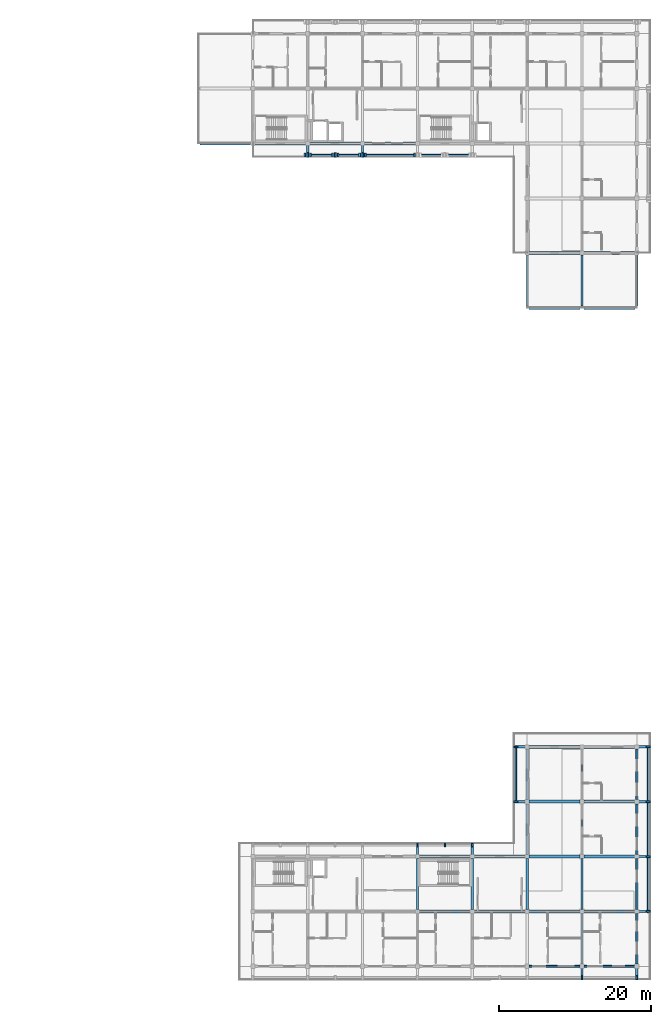
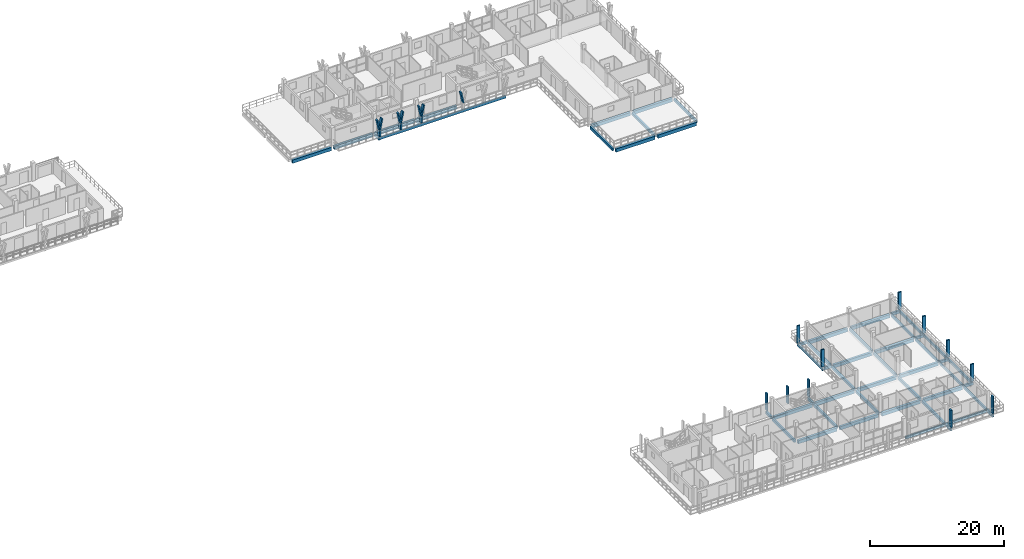
# One storey, part 21 of 60: 53 beams, 21 members.
"""IFC4 building model written with IfcOpenShell, lengths in metres."""

from ifc_helpers import new_model, si_unit, direction, frame, origin, origin_2d, place, context, subcontext, project, spatial, rectangle, extrude, material, material_profile, profile_set, type_object, element, save


model = new_model("IFC4")

# Units and contexts
model_context = context("Model", 3, precision=1e-05, world=origin(), true_north=direction((0.0, 1.0)))
body_context = subcontext(model_context, "Body", "Model", "MODEL_VIEW")
ifc_project = project(units=[si_unit("LENGTHUNIT", "METRE"), si_unit("AREAUNIT", "SQUARE_METRE"), si_unit("VOLUMEUNIT", "CUBIC_METRE"), si_unit("PLANEANGLEUNIT", "RADIAN"), si_unit("MASSUNIT", "GRAM", prefix="KILO")], contexts=[model_context])

# Site, building, storey
site_placement = place(None, origin())
site = spatial("IfcSite", under=ifc_project, at=site_placement, CompositionType="ELEMENT")
building_placement = place(site_placement, origin())
building = spatial("IfcBuilding", under=site, at=building_placement, Name="Suanplinth Sawtooth Commons", CompositionType="ELEMENT")
storey_placement = place(building_placement, frame((0.0, 0.0, 31.5)))
storey = spatial("IfcBuildingStorey", under=building, at=storey_placement, Name="L09", CompositionType="ELEMENT", Elevation=31.5)

# Beams
ifc_material_1 = material(Name="Precast concrete C40/50", Category="concrete")
ifc_material_profile_1 = material_profile(ifc_material_1, rectangle(XDim=0.39990234375, YDim=0.60009765625, at=origin_2d()), Name="PC-GDR 400x600")
ifc_profile_set_1 = profile_set([ifc_material_profile_1], Name="Precast concrete C40/50")
beam_type_1 = type_object("IfcBeamType", Name="B-05", PredefinedType="USERDEFINED", material=ifc_profile_set_1)
beam_1_placement = place(storey_placement, frame((129.875, 108.0, -0.550048828125), z_axis=(1.0, 0.0, 0.0), x_axis=(0.0, 1.0, 0.0)))
element("IfcBeam", 1, at=beam_1_placement, inside=storey, type_object=beam_type_1, Name="BMX-L09-B-18-15", ObjectType="GIRDER", PredefinedType="USERDEFINED", context=body_context, shape_type="SweptSolid", body=[
    extrude(rectangle(XDim=0.39990234375, YDim=0.60009765625, at=origin_2d()), origin(), (0.0, 0.0, 1.0), 6.64990234375),
])
for number, where, z_axis, x_axis, name in (
    (2, (137.074951171875, 108.0, -0.550048828125), (1.0, 0.0, 0.0), (0.0, 1.0, 0.0), "BMX-L09-B-19-15"),
    (3, (144.27490234375, 108.0, -0.550048828125), (1.0, 0.0, 0.0), (0.0, 1.0, 0.0), "BMX-L09-B-20-15"),
):
    element("IfcBeam", number, at=place(storey_placement, frame(where, z_axis=z_axis, x_axis=x_axis)), inside=storey, type_object=beam_type_1, Name=name, ObjectType="GIRDER", PredefinedType="USERDEFINED", context=body_context, shape_type="SweptSolid", body=[
        extrude(rectangle(XDim=0.39990234375, YDim=0.60009765625, at=origin_2d()), origin(), (0.0, 0.0, 1.0), 6.650146484375),
    ])
beam_2_placement = place(storey_placement, frame((151.47509765625, 108.0, -0.550048828125), z_axis=(1.0, 0.0, 0.0), x_axis=(0.0, 1.0, 0.0)))
element("IfcBeam", 4, at=beam_2_placement, inside=storey, type_object=beam_type_1, Name="BMX-L09-B-21-15", ObjectType="GIRDER", PredefinedType="USERDEFINED", context=body_context, shape_type="SweptSolid", body=[
    extrude(rectangle(XDim=0.39990234375, YDim=0.60009765625, at=origin_2d()), origin(), (0.0, 0.0, 1.0), 6.64990234375),
])
for number, where, z_axis, x_axis, name in (
    (5, (173.074951171875, 86.39990234375, -0.550048828125), (1.0, 0.0, 0.0), (0.0, 1.0, 0.0), "BMX-L09-B-24-12"),
    (6, (173.074951171875, 93.60009765625, -0.550048828125), (1.0, 0.0, 0.0), (0.0, 1.0, 0.0), "BMX-L09-B-24-13"),
    (7, (180.27490234375, 86.39990234375, -0.550048828125), (1.0, 0.0, 0.0), (0.0, 1.0, 0.0), "BMX-L09-B-25-12"),
    (8, (180.27490234375, 93.60009765625, -0.550048828125), (1.0, 0.0, 0.0), (0.0, 1.0, 0.0), "BMX-L09-B-25-13"),
):
    element("IfcBeam", number, at=place(storey_placement, frame(where, z_axis=z_axis, x_axis=x_axis)), inside=storey, type_object=beam_type_1, Name=name, ObjectType="GIRDER", PredefinedType="USERDEFINED", context=body_context, shape_type="SweptSolid", body=[
        extrude(rectangle(XDim=0.39990234375, YDim=0.60009765625, at=origin_2d()), origin(), (0.0, 0.0, 1.0), 6.650146484375),
    ])
for number, where, z_axis, x_axis, name in (
    (9, (158.675048828125, 7.199951171875, -0.550048828125), (1.0, 0.0, 0.0), (0.0, 1.0, 0.0), "BMX-L09-C-22-1"),
    (10, (158.675048828125, 14.39990234375, -0.550048828125), (1.0, 0.0, 0.0), (0.0, 1.0, 0.0), "BMX-L09-C-22-2"),
    (11, (165.875, 7.199951171875, -0.550048828125), (1.0, 0.0, 0.0), (0.0, 1.0, 0.0), "BMX-L09-C-23-1"),
    (12, (165.875, 14.39990234375, -0.550048828125), (1.0, 0.0, 0.0), (0.0, 1.0, 0.0), "BMX-L09-C-23-2"),
):
    element("IfcBeam", number, at=place(storey_placement, frame(where, z_axis=z_axis, x_axis=x_axis)), inside=storey, type_object=beam_type_1, Name=name, ObjectType="GIRDER", PredefinedType="USERDEFINED", context=body_context, shape_type="SweptSolid", body=[
        extrude(rectangle(XDim=0.39990234375, YDim=0.60009765625, at=origin_2d()), origin(), (0.0, 0.0, 1.0), 6.64990234375),
    ])
for number, where, z_axis, x_axis, name in (
    (13, (173.074951171875, 7.199951171875, -0.550048828125), (1.0, 0.0, 0.0), (0.0, 1.0, 0.0), "BMX-L09-C-24-1"),
    (14, (173.074951171875, 14.39990234375, -0.550048828125), (1.0, 0.0, 0.0), (0.0, 1.0, 0.0), "BMX-L09-C-24-2"),
    (15, (173.074951171875, 21.60009765625, -0.550048828125), (1.0, 0.0, 0.0), (0.0, 1.0, 0.0), "BMX-L09-C-24-3"),
    (16, (173.074951171875, 28.800048828125, -0.550048828125), (1.0, 0.0, 0.0), (0.0, 1.0, 0.0), "BMX-L09-C-24-4"),
    (17, (180.27490234375, 7.199951171875, -0.550048828125), (1.0, 0.0, 0.0), (0.0, 1.0, 0.0), "BMX-L09-C-25-1"),
    (18, (180.27490234375, 14.39990234375, -0.550048828125), (1.0, 0.0, 0.0), (0.0, 1.0, 0.0), "BMX-L09-C-25-2"),
    (19, (180.27490234375, 21.60009765625, -0.550048828125), (1.0, 0.0, 0.0), (0.0, 1.0, 0.0), "BMX-L09-C-25-3"),
    (20, (180.27490234375, 28.800048828125, -0.550048828125), (1.0, 0.0, 0.0), (0.0, 1.0, 0.0), "BMX-L09-C-25-4"),
):
    element("IfcBeam", number, at=place(storey_placement, frame(where, z_axis=z_axis, x_axis=x_axis)), inside=storey, type_object=beam_type_1, Name=name, ObjectType="GIRDER", PredefinedType="USERDEFINED", context=body_context, shape_type="SweptSolid", body=[
        extrude(rectangle(XDim=0.39990234375, YDim=0.60009765625, at=origin_2d()), origin(), (0.0, 0.0, 1.0), 6.650146484375),
    ])
ifc_material_profile_2 = material_profile(ifc_material_1, rectangle(XDim=0.300048828125, YDim=0.5, at=origin_2d()), Name="PC-BM 300x500")
ifc_profile_set_2 = profile_set([ifc_material_profile_2], Name="Precast concrete C40/50")
beam_type_2 = type_object("IfcBeamType", Name="B-07", PredefinedType="BEAM", material=ifc_profile_set_2)
for number, where, z_axis, x_axis, name in (
    (21, (172.800048828125, 86.675048828125, -0.5), (0.0, 1.0, 0.0), (-1.0, 0.0, 0.0), "BMY-L09-B-24-12"),
    (22, (180.0, 86.675048828125, -0.5), (0.0, 1.0, 0.0), (-1.0, 0.0, 0.0), "BMY-L09-B-25-12"),
    (23, (158.39990234375, 7.47509765625, -0.5), (0.0, 1.0, 0.0), (-1.0, 0.0, 0.0), "BMY-L09-C-22-1"),
    (24, (165.60009765625, 7.47509765625, -0.5), (0.0, 1.0, 0.0), (-1.0, 0.0, 0.0), "BMY-L09-C-23-1"),
    (25, (172.800048828125, 7.47509765625, -0.5), (0.0, 1.0, 0.0), (-1.0, 0.0, 0.0), "BMY-L09-C-24-1"),
    (26, (172.800048828125, 14.675048828125, -0.5), (0.0, 1.0, 0.0), (-1.0, 0.0, 0.0), "BMY-L09-C-24-2"),
    (27, (172.800048828125, 21.875, -0.5), (0.0, 1.0, 0.0), (-1.0, 0.0, 0.0), "BMY-L09-C-24-3"),
):
    element("IfcBeam", number, at=place(storey_placement, frame(where, z_axis=z_axis, x_axis=x_axis)), inside=storey, type_object=beam_type_2, Name=name, PredefinedType="BEAM", context=body_context, shape_type="SweptSolid", body=[
        extrude(rectangle(XDim=0.300048828125, YDim=0.5, at=origin_2d()), origin(), (0.0, 0.0, 1.0), 6.64990234375),
    ])
beam_3_placement = place(storey_placement, frame((180.0, 0.27490234375, -0.5), z_axis=(0.0, 1.0, 0.0), x_axis=(-1.0, 0.0, 0.0)))
element("IfcBeam", 28, at=beam_3_placement, inside=storey, type_object=beam_type_2, Name="BMY-L09-C-25-0", PredefinedType="BEAM", context=body_context, shape_type="SweptSolid", body=[
    extrude(rectangle(XDim=0.300048828125, YDim=0.5, at=origin_2d()), origin(), (0.0, 0.0, 1.0), 6.650146484375),
])
for number, where, z_axis, x_axis, name in (
    (29, (180.0, 7.47509765625, -0.5), (0.0, 1.0, 0.0), (-1.0, 0.0, 0.0), "BMY-L09-C-25-1"),
    (30, (180.0, 14.675048828125, -0.5), (0.0, 1.0, 0.0), (-1.0, 0.0, 0.0), "BMY-L09-C-25-2"),
    (31, (180.0, 21.875, -0.5), (0.0, 1.0, 0.0), (-1.0, 0.0, 0.0), "BMY-L09-C-25-3"),
):
    element("IfcBeam", number, at=place(storey_placement, frame(where, z_axis=z_axis, x_axis=x_axis)), inside=storey, type_object=beam_type_2, Name=name, PredefinedType="BEAM", context=body_context, shape_type="SweptSolid", body=[
        extrude(rectangle(XDim=0.300048828125, YDim=0.5, at=origin_2d()), origin(), (0.0, 0.0, 1.0), 6.64990234375),
    ])
for number, where, z_axis, x_axis, name in (
    (32, (144.0, 108.0, -0.425048828125), (0.0, -1.0, 0.0), (1.0, 0.0, 0.0), "Balcony Outrigger L09-B-SC-20"),
    (33, (151.199951171875, 108.0, -0.425048828125), (0.0, -1.0, 0.0), (1.0, 0.0, 0.0), "Balcony Outrigger L09-B-SC-21"),
    (34, (180.0, 0.0, -0.429931640625), (0.0, -1.0, 0.0), (1.0, 0.0, 0.0), "Balcony Outrigger L09-C-S-25"),
    (35, (187.199951171875, 0.0, -0.429931640625), (0.0, -1.0, 0.0), (1.0, 0.0, 0.0), "Balcony Outrigger L09-C-S-26"),
):
    element("IfcBeam", number, at=place(storey_placement, frame(where, z_axis=z_axis, x_axis=x_axis)), inside=storey, type_object=beam_type_2, Name=name, PredefinedType="BEAM", context=body_context, shape_type="SweptSolid", body=[
        extrude(rectangle(XDim=0.300048828125, YDim=0.5, at=origin_2d()), origin(), (0.0, 0.0, 1.0), 1.639892578125),
    ])
for number, where, z_axis, x_axis, name in (
    (36, (187.199951171875, 7.199951171875, -0.429931640625), (1.0, 0.0, 0.0), (0.0, 1.0, 0.0), "Balcony Outrigger L09-C-E-1"),
    (37, (187.199951171875, 14.39990234375, -0.429931640625), (1.0, 0.0, 0.0), (0.0, 1.0, 0.0), "Balcony Outrigger L09-C-E-2"),
    (38, (187.199951171875, 21.60009765625, -0.429931640625), (1.0, 0.0, 0.0), (0.0, 1.0, 0.0), "Balcony Outrigger L09-C-E-3"),
    (39, (187.199951171875, 28.800048828125, -0.429931640625), (1.0, 0.0, 0.0), (0.0, 1.0, 0.0), "Balcony Outrigger L09-C-E-4"),
    (40, (158.39990234375, 14.39990234375, -0.425048828125), (0.0, 1.0, 0.0), (-1.0, 0.0, 0.0), "Balcony Outrigger L09-C-NC-22"),
    (41, (165.60009765625, 14.39990234375, -0.425048828125), (0.0, 1.0, 0.0), (-1.0, 0.0, 0.0), "Balcony Outrigger L09-C-NC-23"),
    (42, (172.800048828125, 21.60009765625, -0.425048828125), (-1.0, 0.0, 0.0), (0.0, -1.0, 0.0), "Balcony Outrigger L09-C-WC-3"),
    (43, (172.800048828125, 28.800048828125, -0.425048828125), (-1.0, 0.0, 0.0), (0.0, -1.0, 0.0), "Balcony Outrigger L09-C-WC-4"),
):
    element("IfcBeam", number, at=place(storey_placement, frame(where, z_axis=z_axis, x_axis=x_axis)), inside=storey, type_object=beam_type_2, Name=name, PredefinedType="BEAM", context=body_context, shape_type="SweptSolid", body=[
        extrude(rectangle(XDim=0.300048828125, YDim=0.5, at=origin_2d()), origin(), (0.0, 0.0, 1.0), 1.64013671875),
    ])
ifc_material_profile_3 = material_profile(ifc_material_1, rectangle(XDim=0.25, YDim=0.449951171875, at=origin_2d()), Name="PC-SP 250x450")
ifc_profile_set_3 = profile_set([ifc_material_profile_3], Name="Precast concrete C40/50")
beam_type_3 = type_object("IfcBeamType", Name="B-09", PredefinedType="SPANDREL", material=ifc_profile_set_3)
beam_4_placement = place(storey_placement, frame((187.199951171875, 86.675048828125, -0.47509765625), z_axis=(0.0, 1.0, 0.0), x_axis=(-1.0, 0.0, 0.0)))
element("IfcBeam", 44, at=beam_4_placement, inside=storey, type_object=beam_type_3, Name="BMY-L09-B-26-12", PredefinedType="SPANDREL", context=body_context, shape_type="SweptSolid", body=[
    extrude(rectangle(XDim=0.25, YDim=0.449951171875, at=origin_2d()), origin(), (0.0, 0.0, 1.0), 6.64990234375),
])
for number, where, z_axis, x_axis, name in (
    (45, (173.074951171875, 0.0, -0.47509765625), (1.0, 0.0, 0.0), (0.0, 1.0, 0.0), "BMX-L09-C-24-0"),
    (46, (180.27490234375, 0.0, -0.47509765625), (1.0, 0.0, 0.0), (0.0, 1.0, 0.0), "BMX-L09-C-25-0"),
    (47, (187.199951171875, 0.27490234375, -0.47509765625), (0.0, 1.0, 0.0), (-1.0, 0.0, 0.0), "BMY-L09-C-26-0"),
):
    element("IfcBeam", number, at=place(storey_placement, frame(where, z_axis=z_axis, x_axis=x_axis)), inside=storey, type_object=beam_type_3, Name=name, PredefinedType="SPANDREL", context=body_context, shape_type="SweptSolid", body=[
        extrude(rectangle(XDim=0.25, YDim=0.449951171875, at=origin_2d()), origin(), (0.0, 0.0, 1.0), 6.650146484375),
    ])
for number, where, z_axis, x_axis, name in (
    (48, (187.199951171875, 7.47509765625, -0.47509765625), (0.0, 1.0, 0.0), (-1.0, 0.0, 0.0), "BMY-L09-C-26-1"),
    (49, (187.199951171875, 14.675048828125, -0.47509765625), (0.0, 1.0, 0.0), (-1.0, 0.0, 0.0), "BMY-L09-C-26-2"),
    (50, (187.199951171875, 21.875, -0.47509765625), (0.0, 1.0, 0.0), (-1.0, 0.0, 0.0), "BMY-L09-C-26-3"),
):
    element("IfcBeam", number, at=place(storey_placement, frame(where, z_axis=z_axis, x_axis=x_axis)), inside=storey, type_object=beam_type_3, Name=name, PredefinedType="SPANDREL", context=body_context, shape_type="SweptSolid", body=[
        extrude(rectangle(XDim=0.25, YDim=0.449951171875, at=origin_2d()), origin(), (0.0, 0.0, 1.0), 6.64990234375),
    ])
for number, where, z_axis, x_axis, name in (
    (51, (143.85009765625, 106.47998046875, -0.39990234375), (1.0, 0.0, 0.0), (0.0, 1.0, 0.0), "Balcony Edge Fascia L09-B-SC"),
    (52, (188.719970703125, 7.050048828125, -0.405029296875), (0.0, 1.0, 0.0), (-1.0, 0.0, 0.0), "Balcony Edge Fascia L09-C-E"),
):
    element("IfcBeam", number, at=place(storey_placement, frame(where, z_axis=z_axis, x_axis=x_axis)), inside=storey, type_object=beam_type_3, Name=name, PredefinedType="SPANDREL", context=body_context, shape_type="SweptSolid", body=[
        extrude(rectangle(XDim=0.25, YDim=0.449951171875, at=origin_2d()), origin(), (0.0, 0.0, 1.0), 21.89990234375),
    ])
beam_5_placement = place(storey_placement, frame((171.280029296875, 21.449951171875, -0.39990234375), z_axis=(0.0, 1.0, 0.0), x_axis=(-1.0, 0.0, 0.0)))
element("IfcBeam", 53, at=beam_5_placement, inside=storey, type_object=beam_type_3, Name="Balcony Edge Fascia L09-C-WC", PredefinedType="SPANDREL", context=body_context, shape_type="SweptSolid", body=[
    extrude(rectangle(XDim=0.25, YDim=0.449951171875, at=origin_2d()), origin(), (0.0, 0.0, 1.0), 7.5),
])

# Members
ifc_material_2 = material(Name="Pigmented precast concrete C40/50", Category="concrete")
ifc_material_profile_4 = material_profile(ifc_material_2, rectangle(XDim=0.260009765625, YDim=0.550048828125, at=origin_2d()), Name="PC-FIN 260x550")
ifc_profile_set_4 = profile_set([ifc_material_profile_4], Name="Pigmented precast concrete C40/50")
member_type_1 = type_object("IfcMemberType", Name="M-09", PredefinedType="USERDEFINED", material=ifc_profile_set_4)
for number, where, z_axis, x_axis, name in (
    (54, (144.0, 106.47998046875, 0.0), (0.0, 0.0, 1.0), (1.0, 0.0, 0.0), "Y-Blade Stem L09-B-SC-11"),
    (55, (147.60009765625, 106.47998046875, 0.0), (0.0, 0.0, 1.0), (1.0, 0.0, 0.0), "Y-Blade Stem L09-B-SC-12"),
    (56, (151.199951171875, 106.47998046875, 0.0), (0.0, 0.0, 1.0), (1.0, 0.0, 0.0), "Y-Blade Stem L09-B-SC-13"),
):
    element("IfcMember", number, at=place(storey_placement, frame(where, z_axis=z_axis, x_axis=x_axis)), inside=storey, type_object=member_type_1, Name=name, ObjectType="SHADING FIN", PredefinedType="USERDEFINED", context=body_context, shape_type="SweptSolid", body=[
        extrude(rectangle(XDim=0.260009765625, YDim=0.550048828125, at=origin_2d()), origin(), (0.0, 0.0, 1.0), 1.169921875),
    ])
ifc_material_profile_5 = material_profile(ifc_material_2, rectangle(XDim=0.219970703125, YDim=0.550048828125, at=origin_2d()), Name="PC-FIN 220x550")
ifc_profile_set_5 = profile_set([ifc_material_profile_5], Name="Pigmented precast concrete C40/50")
member_type_2 = type_object("IfcMemberType", Name="M-10", PredefinedType="USERDEFINED", material=ifc_profile_set_5)
for number, where, z_axis, x_axis, name in (
    (57, (144.0, 106.47998046875, 1.1298828125), (-0.196530428008, 0.0, 0.98049772609), (0.98049772609, 0.0, 0.196530428008), "Y-Blade Arm L L09-B-SC-11"),
    (58, (144.0, 106.47998046875, 1.1298828125), (0.196530428008, 0.0, 0.98049772609), (-0.98049772609, 0.0, 0.196530428008), "Y-Blade Arm R L09-B-SC-11"),
    (59, (147.60009765625, 106.47998046875, 1.1298828125), (-0.196530428008, 0.0, 0.98049772609), (0.98049772609, 0.0, 0.196530428008), "Y-Blade Arm L L09-B-SC-12"),
    (60, (147.60009765625, 106.47998046875, 1.1298828125), (0.196415357203, 0.0, 0.980520783795), (-0.980520783795, 0.0, 0.196415357203), "Y-Blade Arm R L09-B-SC-12"),
    (61, (151.199951171875, 106.47998046875, 1.1298828125), (-0.196415357203, 0.0, 0.980520783795), (0.980520783795, 0.0, 0.196415357203), "Y-Blade Arm L L09-B-SC-13"),
    (62, (151.199951171875, 106.47998046875, 1.1298828125), (0.196530428008, 0.0, 0.98049772609), (-0.98049772609, 0.0, 0.196530428008), "Y-Blade Arm R L09-B-SC-13"),
    (63, (158.39990234375, 106.47998046875, 1.1298828125), (-0.196415357203, 0.0, 0.980520783795), (0.980520783795, 0.0, 0.196415357203), "Y-Blade Arm L L09-B-SC-14"),
):
    element("IfcMember", number, at=place(storey_placement, frame(where, z_axis=z_axis, x_axis=x_axis)), inside=storey, type_object=member_type_2, Name=name, ObjectType="SHADING FIN", PredefinedType="USERDEFINED", context=body_context, shape_type="SweptSolid", body=[
        extrude(rectangle(XDim=0.219970703125, YDim=0.550048828125, at=origin_2d()), origin(), (0.0, 0.0, 1.0), 2.039794921875),
    ])
ifc_material_profile_6 = material_profile(ifc_material_2, rectangle(XDim=0.25, YDim=0.5400390625, at=origin_2d()), Name="PC-FIN 250x540")
ifc_profile_set_6 = profile_set([ifc_material_profile_6], Name="Pigmented precast concrete C40/50")
member_type_3 = type_object("IfcMemberType", Name="M-11", PredefinedType="USERDEFINED", material=ifc_profile_set_6)
for number, where, z_axis, x_axis, name in (
    (64, (180.0, -1.52001953125, 0.0), (0.0, 0.0, 1.0), (1.0, 0.0, 0.0), "Upright Solar Blade L09-C-S-08"),
    (65, (187.199951171875, -1.52001953125, 0.0), (0.0, 0.0, 1.0), (1.0, 0.0, 0.0), "Upright Solar Blade L09-C-S-09"),
    (66, (188.719970703125, 7.199951171875, 0.0), (0.0, 0.0, 1.0), (0.0, 1.0, 0.0), "Upright Solar Blade L09-C-E-10"),
    (67, (188.719970703125, 14.39990234375, 0.0), (0.0, 0.0, 1.0), (0.0, 1.0, 0.0), "Upright Solar Blade L09-C-E-11"),
    (68, (188.719970703125, 21.60009765625, 0.0), (0.0, 0.0, 1.0), (0.0, 1.0, 0.0), "Upright Solar Blade L09-C-E-12"),
    (69, (188.719970703125, 28.800048828125, 0.0), (0.0, 0.0, 1.0), (0.0, 1.0, 0.0), "Upright Solar Blade L09-C-E-13"),
):
    element("IfcMember", number, at=place(storey_placement, frame(where, z_axis=z_axis, x_axis=x_axis)), inside=storey, type_object=member_type_3, Name=name, ObjectType="SHADING FIN", PredefinedType="USERDEFINED", context=body_context, shape_type="SweptSolid", body=[
        extrude(rectangle(XDim=0.25, YDim=0.5400390625, at=origin_2d()), origin(), (0.0, 0.0, 1.0), 3.1298828125),
    ])
ifc_material_profile_7 = material_profile(ifc_material_2, rectangle(XDim=0.2099609375, YDim=0.52001953125, at=origin_2d()), Name="PC-FIN 210x520")
ifc_profile_set_7 = profile_set([ifc_material_profile_7], Name="Pigmented precast concrete C40/50")
member_type_4 = type_object("IfcMemberType", Name="M-12", PredefinedType="USERDEFINED", material=ifc_profile_set_7)
for number, where, z_axis, x_axis, name in (
    (70, (158.39990234375, 15.919921875, 0.0), (0.0, 0.0, 1.0), (1.0, 0.0, 0.0), "Upright Solar Blade L09-C-NC-19"),
    (71, (162.0, 15.919921875, 0.0), (0.0, 0.0, 1.0), (1.0, 0.0, 0.0), "Upright Solar Blade L09-C-NC-20"),
    (72, (165.60009765625, 15.919921875, 0.0), (0.0, 0.0, 1.0), (1.0, 0.0, 0.0), "Upright Solar Blade L09-C-NC-21"),
    (73, (171.280029296875, 21.60009765625, 0.0), (0.0, 0.0, 1.0), (0.0, 1.0, 0.0), "Upright Solar Blade L09-C-WC-22"),
    (74, (171.280029296875, 28.800048828125, 0.0), (0.0, 0.0, 1.0), (0.0, 1.0, 0.0), "Upright Solar Blade L09-C-WC-23"),
):
    element("IfcMember", number, at=place(storey_placement, frame(where, z_axis=z_axis, x_axis=x_axis)), inside=storey, type_object=member_type_4, Name=name, ObjectType="SHADING FIN", PredefinedType="USERDEFINED", context=body_context, shape_type="SweptSolid", body=[
        extrude(rectangle(XDim=0.2099609375, YDim=0.52001953125, at=origin_2d()), origin(), (0.0, 0.0, 1.0), 3.1298828125),
    ])

save(model, "model.ifc")
